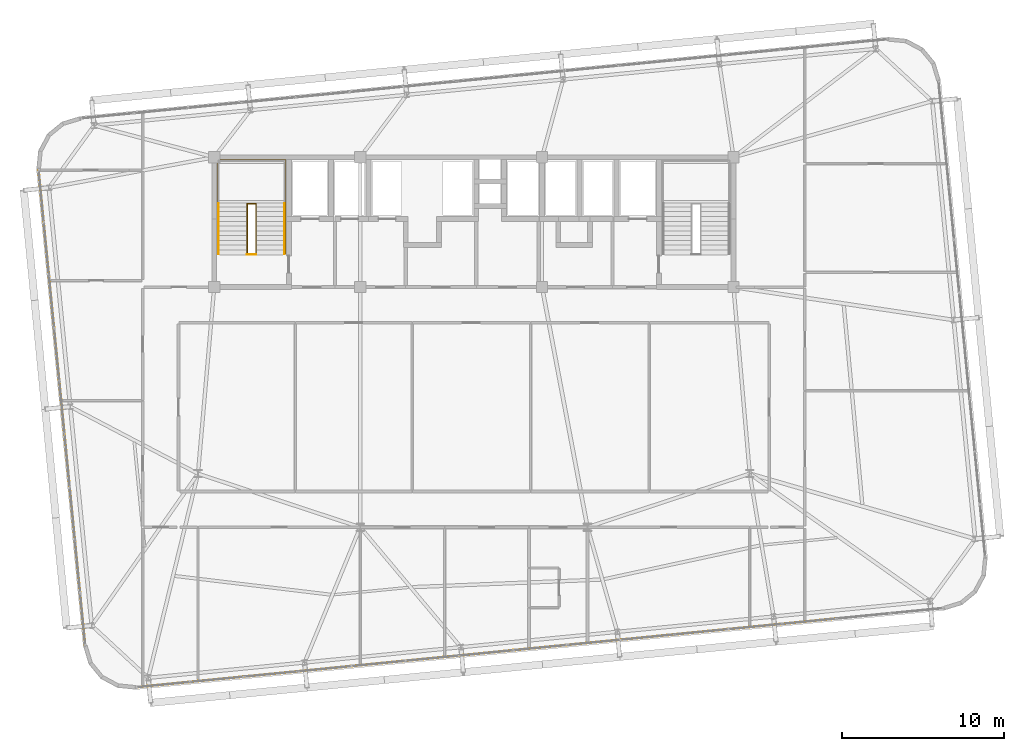
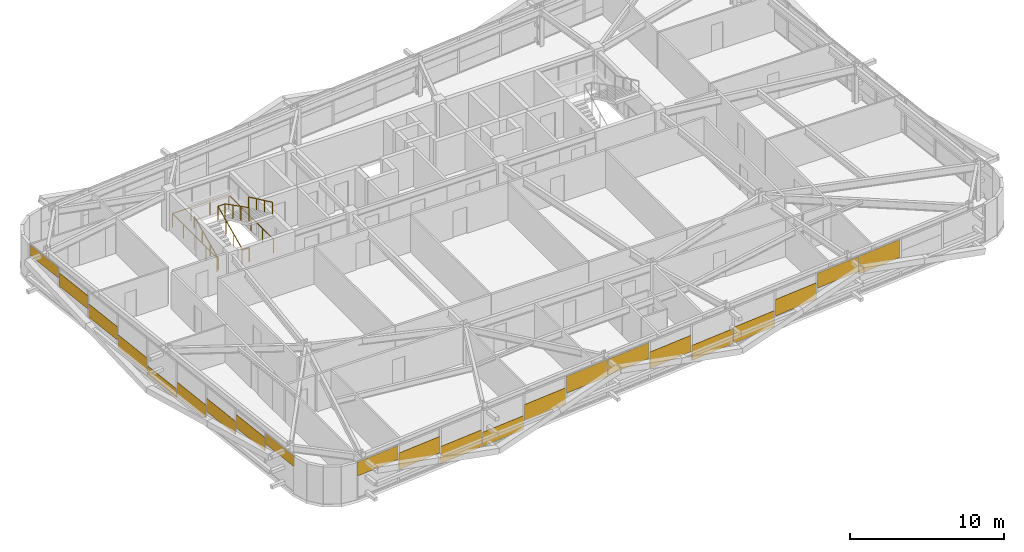
# One storey, part 50 of 52: 22 coverings, 5 railings.
"""IFC4 building model written with IfcOpenShell, lengths in metres."""

from ifc_helpers import new_model, si_unit, direction, frame, origin, origin_2d, place, context, subcontext, project, spatial, rectangle, extrude, source, transform, mapped, material, layer, layer_set, type_object, element, save


model = new_model("IFC4")

# Units and contexts
model_context = context("Model", 3, precision=1e-05, world=origin(), true_north=direction((0.0, 1.0)))
body_context = subcontext(model_context, "Body", "Model", "MODEL_VIEW")
ifc_project = project(units=[si_unit("LENGTHUNIT", "METRE"), si_unit("AREAUNIT", "SQUARE_METRE"), si_unit("VOLUMEUNIT", "CUBIC_METRE"), si_unit("PLANEANGLEUNIT", "RADIAN"), si_unit("MASSUNIT", "GRAM", prefix="KILO")], contexts=[model_context])

# Site, building, storey
site_placement = place(None, origin())
site = spatial("IfcSite", under=ifc_project, at=site_placement, CompositionType="ELEMENT")
building_placement = place(site_placement, origin())
building = spatial("IfcBuilding", under=site, at=building_placement, Name="Taldren Reach Tower", CompositionType="ELEMENT")
storey_placement = place(building_placement, frame((0.0, 0.0, 96.60009765625)))
storey = spatial("IfcBuildingStorey", under=building, at=storey_placement, Name="L29", CompositionType="ELEMENT", Elevation=96.60009765625)

# Railings
ifc_material_1 = material(Name="Steel Gr 350 (C350L0)", Category="steel")
ifc_layer_1 = layer(ifc_material_1, 0.050048828125)
ifc_layer_set_1 = layer_set([ifc_layer_1], Name="Steel Gr 350 (C350L0)")
railing_type_1 = type_object("IfcRailingType", Name="RL-STAIR-GR", PredefinedType="GUARDRAIL", material=ifc_layer_set_1)
railing_1_placement = place(storey_placement, frame((21.030029296875, 26.050048828125, 0.131103515625)))
element("IfcRailing", 1, at=railing_1_placement, inside=storey, type_object=railing_type_1, Name="Stairwell inner guard ST1-L29", PredefinedType="GUARDRAIL", context=body_context, shape_type="SweptSolid", body=[
    extrude(rectangle(XDim=0.047852, YDim=0.047852, at=origin_2d()), frame((0.0, 0.0, 1.09619140625), z_axis=(0.0, 0.905710134349, 0.423897573167), x_axis=(-1.0, 0.0, 0.0)), (0.0, 0.0, 1.0), 3.406005859375),
    extrude(rectangle(XDim=0.047852, YDim=0.047852, at=origin_2d()), frame((0.0, 3.0849609375, 2.5400390625), z_axis=(1.0, 0.0, 0.0), x_axis=(0.0, 1.0, 0.0)), (0.0, 0.0, 1.0), 0.5400390625),
    extrude(rectangle(XDim=0.047852, YDim=0.047852, at=origin_2d()), frame((0.5400390625, 3.0849609375, 2.5400390625), z_axis=(0.0, -0.890645957773, 0.45469745755), x_axis=(1.0, 0.0, 0.0)), (0.0, 0.0, 1.0), 3.463623046875),
    extrude(rectangle(XDim=0.041992, YDim=0.041992, at=origin_2d()), origin(), (0.0, 0.0, 1.0), 1.072021484375),
    extrude(rectangle(XDim=0.041992, YDim=0.041992, at=origin_2d()), frame((0.0, 1.0283203125, 0.481201171875)), (0.0, 0.0, 1.0), 1.072021484375),
    extrude(rectangle(XDim=0.041992, YDim=0.041992, at=origin_2d()), frame((0.0, 2.056640625, 0.962646484375)), (0.0, 0.0, 1.0), 1.072021484375),
    extrude(rectangle(XDim=0.041992, YDim=0.041992, at=origin_2d()), frame((0.0, 3.0849609375, 1.44384765625)), (0.0, 0.0, 1.0), 1.072021484375),
    extrude(rectangle(XDim=0.041992, YDim=0.041992, at=origin_2d()), frame((0.5400390625, 3.0849609375, 1.44384765625)), (0.0, 0.0, 1.0), 1.072021484375),
    extrude(rectangle(XDim=0.041992, YDim=0.041992, at=origin_2d()), frame((0.5400390625, 2.056640625, 1.96875)), (0.0, 0.0, 1.0), 1.072021484375),
    extrude(rectangle(XDim=0.041992, YDim=0.041992, at=origin_2d()), frame((0.5400390625, 1.0283203125, 2.493896484375)), (0.0, 0.0, 1.0), 1.072021484375),
    extrude(rectangle(XDim=0.041992, YDim=0.041992, at=origin_2d()), frame((0.5400390625, 0.0, 3.018798828125)), (0.0, 0.0, 1.0), 1.072021484375),
])
railing_2_placement = place(storey_placement, frame((21.030029296875, 26.010009765625, 0.0)))
element("IfcRailing", 2, at=railing_2_placement, inside=storey, type_object=railing_type_1, Name="Stairwell landing slot guard ST1-L29", PredefinedType="GUARDRAIL", context=body_context, shape_type="SweptSolid", body=[
    extrude(rectangle(XDim=0.047852, YDim=0.047852, at=origin_2d()), frame((0.0, 0.0, 1.09619140625), z_axis=(1.0, 0.0, 0.0), x_axis=(0.0, 1.0, 0.0)), (0.0, 0.0, 1.0), 0.5400390625),
    extrude(rectangle(XDim=0.041992, YDim=0.041992, at=origin_2d()), origin(), (0.0, 0.0, 1.0), 1.072021484375),
    extrude(rectangle(XDim=0.041992, YDim=0.041992, at=origin_2d()), frame((0.5400390625, 0.0, 0.0)), (0.0, 0.0, 1.0), 1.072021484375),
])
railing_3_placement = place(storey_placement, frame((19.18994140625, 26.050048828125, 0.0)))
element("IfcRailing", 3, at=railing_3_placement, inside=storey, type_object=railing_type_1, Name="Stairwell floor opening guard ST1-L29", PredefinedType="GUARDRAIL", context=body_context, shape_type="SweptSolid", body=[
    extrude(rectangle(XDim=0.047852, YDim=0.047852, at=origin_2d()), frame((0.0, 0.0, 1.09619140625), z_axis=(0.0, 1.0, 0.0), x_axis=(-1.0, 0.0, 0.0)), (0.0, 0.0, 1.0), 5.800048828125),
    extrude(rectangle(XDim=0.047852, YDim=0.047852, at=origin_2d()), frame((0.0, 5.800048828125, 1.09619140625), z_axis=(1.0, 0.0, 0.0), x_axis=(0.0, 1.0, 0.0)), (0.0, 0.0, 1.0), 4.219970703125),
    extrude(rectangle(XDim=0.047852, YDim=0.047852, at=origin_2d()), frame((4.219970703125, 5.800048828125, 1.09619140625), z_axis=(0.0, -1.0, 0.0), x_axis=(1.0, 0.0, 0.0)), (0.0, 0.0, 1.0), 5.800048828125),
    extrude(rectangle(XDim=0.041992, YDim=0.041992, at=origin_2d()), origin(), (0.0, 0.0, 1.0), 1.072021484375),
    extrude(rectangle(XDim=0.041992, YDim=0.041992, at=origin_2d()), frame((0.0, 1.449951171875, 0.0)), (0.0, 0.0, 1.0), 1.072021484375),
    extrude(rectangle(XDim=0.041992, YDim=0.041992, at=origin_2d()), frame((0.0, 2.89990234375, 0.0)), (0.0, 0.0, 1.0), 1.072021484375),
    extrude(rectangle(XDim=0.041992, YDim=0.041992, at=origin_2d()), frame((0.0, 4.35009765625, 0.0)), (0.0, 0.0, 1.0), 1.072021484375),
    extrude(rectangle(XDim=0.041992, YDim=0.041992, at=origin_2d()), frame((0.0, 5.800048828125, 0.0)), (0.0, 0.0, 1.0), 1.072021484375),
    extrude(rectangle(XDim=0.041992, YDim=0.041992, at=origin_2d()), frame((1.40673828125, 5.800048828125, 0.0)), (0.0, 0.0, 1.0), 1.072021484375),
    extrude(rectangle(XDim=0.041992, YDim=0.041992, at=origin_2d()), frame((2.813232421875, 5.800048828125, 0.0)), (0.0, 0.0, 1.0), 1.072021484375),
    extrude(rectangle(XDim=0.041992, YDim=0.041992, at=origin_2d()), frame((4.219970703125, 5.800048828125, 0.0)), (0.0, 0.0, 1.0), 1.072021484375),
    extrude(rectangle(XDim=0.041992, YDim=0.041992, at=origin_2d()), frame((4.219970703125, 4.35009765625, 0.0)), (0.0, 0.0, 1.0), 1.072021484375),
    extrude(rectangle(XDim=0.041992, YDim=0.041992, at=origin_2d()), frame((4.219970703125, 2.89990234375, 0.0)), (0.0, 0.0, 1.0), 1.072021484375),
    extrude(rectangle(XDim=0.041992, YDim=0.041992, at=origin_2d()), frame((4.219970703125, 1.449951171875, 0.0)), (0.0, 0.0, 1.0), 1.072021484375),
    extrude(rectangle(XDim=0.041992, YDim=0.041992, at=origin_2d()), frame((4.219970703125, 0.0, 0.0)), (0.0, 0.0, 1.0), 1.072021484375),
])
ifc_material_2 = material(Name="Stainless Steel Gr 316", Category="steel")
ifc_layer_2 = layer(ifc_material_2, 0.048095703125)
ifc_layer_set_2 = layer_set([ifc_layer_2], Name="Stainless Steel Gr 316")
railing_type_2 = type_object("IfcRailingType", Name="RL-STAIR-HR", PredefinedType="HANDRAIL", material=ifc_layer_set_2)
railing_4_placement = place(storey_placement, frame((19.27001953125, 26.050048828125, 0.131103515625)))
element("IfcRailing", 4, at=railing_4_placement, inside=storey, type_object=railing_type_2, Name="Stair flight handrail ST1-L29-1", PredefinedType="HANDRAIL", context=body_context, shape_type="SweptSolid", body=[
    extrude(rectangle(XDim=0.047852, YDim=0.047852, at=origin_2d()), frame((0.0, 0.0, 0.89599609375), z_axis=(0.0, 0.905710134349, 0.423897573167), x_axis=(-1.0, 0.0, 0.0)), (0.0, 0.0, 1.0), 3.406005859375),
    extrude(rectangle(XDim=0.041992, YDim=0.041992, at=origin_2d()), origin(), (0.0, 0.0, 1.0), 0.871826171875),
    extrude(rectangle(XDim=0.041992, YDim=0.041992, at=origin_2d()), frame((0.0, 1.0283203125, 0.481201171875)), (0.0, 0.0, 1.0), 0.871826171875),
    extrude(rectangle(XDim=0.041992, YDim=0.041992, at=origin_2d()), frame((0.0, 2.056640625, 0.962646484375)), (0.0, 0.0, 1.0), 0.871826171875),
    extrude(rectangle(XDim=0.041992, YDim=0.041992, at=origin_2d()), frame((0.0, 3.0849609375, 1.44384765625)), (0.0, 0.0, 1.0), 0.871826171875),
])
railing_5_placement = place(storey_placement, frame((23.330078125, 29.135009765625, 1.7060546875)))
element("IfcRailing", 5, at=railing_5_placement, inside=storey, type_object=railing_type_2, Name="Stair flight handrail ST1-L29-2", PredefinedType="HANDRAIL", context=body_context, shape_type="SweptSolid", body=[
    extrude(rectangle(XDim=0.047852, YDim=0.047852, at=origin_2d()), frame((0.0, 0.0, 0.89599609375), z_axis=(0.0, -0.905710134349, 0.423897573167), x_axis=(1.0, 0.0, 0.0)), (0.0, 0.0, 1.0), 3.406005859375),
    extrude(rectangle(XDim=0.041992, YDim=0.041992, at=origin_2d()), origin(), (0.0, 0.0, 1.0), 0.871826171875),
    extrude(rectangle(XDim=0.041992, YDim=0.041992, at=origin_2d()), frame((0.0, -1.0283203125, 0.481201171875)), (0.0, 0.0, 1.0), 0.871826171875),
    extrude(rectangle(XDim=0.041992, YDim=0.041992, at=origin_2d()), frame((0.0, -2.056640625, 0.962646484375)), (0.0, 0.0, 1.0), 0.871826171875),
    extrude(rectangle(XDim=0.041992, YDim=0.041992, at=origin_2d()), frame((0.0, -3.0849609375, 1.44384765625)), (0.0, 0.0, 1.0), 0.871826171875),
])

# Coverings
ifc_material_3 = material(Name="Pale Champagne Fluoropolymer Aluminium Spandrel Cladding", Category="aluminium")
ifc_layer_3 = layer(ifc_material_3, 0.0439453125)
ifc_layer_set_3 = layer_set([ifc_layer_3], Name="Pale Champagne Fluoropolymer Aluminium Spandrel Cladding")
covering_type = type_object("IfcCoveringType", Name="CV-CLAD-044", PredefinedType="CLADDING", material=ifc_layer_set_3)
shared_shape_1 = source(origin(), body_context, "Body", "SweptSolid", [
    extrude(rectangle(XDim=3.23583984375, YDim=0.0439453125, at=origin_2d()), origin(), (0.0, 0.0, 1.0), 1.094970703125),
])
covering_1_placement = place(storey_placement, frame((15.862548828125, -0.501220703125, 1.77978515625), z_axis=(0.0, 0.0, 1.0), x_axis=(0.995227390247, 0.097582999046, 0.0)))
element("IfcCovering", 6, at=covering_1_placement, inside=storey, type_object=covering_type, Name="Diagrid closure cladding strip CW-3 panel 1.1 1", PredefinedType="CLADDING", context=body_context, shape_type="MappedRepresentation", body=[
    mapped(shared_shape_1, transform((0.0, 0.0, 0.0), scale=1.0)),
])
shared_shape_2 = source(origin(), body_context, "Body", "SweptSolid", [
    extrude(rectangle(XDim=3.268310546875, YDim=0.0439453125, at=origin_2d()), origin(), (0.0, 0.0, 1.0), 1.3046875),
])
for number, where, z_axis, x_axis, name in (
    (7, (19.163818359375, -0.177734375, 0.943115234375), (0.0, 0.0, 1.0), (0.995227390247, 0.097582999046, 0.0), "Diagrid closure cladding strip CW-3 panel 2.1 1"),
    (8, (29.1162109375, 0.798095703125, 0.7021484375), (0.0, 0.0, 1.0), (0.995227390247, 0.097582999046, 0.0), "Diagrid closure cladding strip CW-3 panel 5.1 1"),
    (9, (39.068359375, 1.77392578125, 0.782470703125), (0.0, 0.0, 1.0), (0.995227390247, 0.097582999046, 0.0), "Diagrid closure cladding strip CW-3 panel 8.1 1"),
    (10, (49.020751953125, 2.749755859375, 0.86279296875), (0.0, 0.0, 1.0), (0.995227390247, 0.097582999046, 0.0), "Diagrid closure cladding strip CW-3 panel 11.1 1"),
):
    element("IfcCovering", number, at=place(storey_placement, frame(where, z_axis=z_axis, x_axis=x_axis)), inside=storey, type_object=covering_type, Name=name, PredefinedType="CLADDING", context=body_context, shape_type="MappedRepresentation", body=[
        mapped(shared_shape_2, transform((0.0, 0.0, 0.0), scale=1.0)),
    ])
shared_shape_3 = source(origin(), body_context, "Body", "SweptSolid", [
    extrude(rectangle(XDim=3.268310546875, YDim=0.0439453125, at=origin_2d()), origin(), (0.0, 0.0, 1.0), 1.356201171875),
])
covering_2_placement = place(storey_placement, frame((22.481201171875, 0.147705078125, 0.0546875), z_axis=(0.0, 0.0, 1.0), x_axis=(0.995227390247, 0.097582999046, 0.0)))
element("IfcCovering", 11, at=covering_2_placement, inside=storey, type_object=covering_type, Name="Diagrid closure cladding strip CW-3 panel 3.1 1", PredefinedType="CLADDING", context=body_context, shape_type="MappedRepresentation", body=[
    mapped(shared_shape_3, transform((0.0, 0.0, 0.0), scale=1.0)),
])
shared_shape_4 = source(origin(), body_context, "Body", "SweptSolid", [
    extrude(rectangle(XDim=3.268310546875, YDim=0.0439453125, at=origin_2d()), origin(), (0.0, 0.0, 1.0), 1.115234375),
])
covering_3_placement = place(storey_placement, frame((25.798828125, 0.472900390625, 0.054931640625), z_axis=(0.0, 0.0, 1.0), x_axis=(0.995227390247, 0.097582999046, 0.0)))
element("IfcCovering", 12, at=covering_3_placement, inside=storey, type_object=covering_type, Name="Diagrid closure cladding strip CW-3 panel 4.1 1", PredefinedType="CLADDING", context=body_context, shape_type="MappedRepresentation", body=[
    mapped(shared_shape_4, transform((0.0, 0.0, 0.0), scale=1.0)),
])
shared_shape_5 = source(origin(), body_context, "Body", "SweptSolid", [
    extrude(rectangle(XDim=3.268310546875, YDim=0.0439453125, at=origin_2d()), origin(), (0.0, 0.0, 1.0), 1.3359375),
])
covering_4_placement = place(storey_placement, frame((32.43359375, 1.12353515625, 1.5390625), z_axis=(0.0, 0.0, 1.0), x_axis=(0.995227390247, 0.097582999046, 0.0)))
element("IfcCovering", 13, at=covering_4_placement, inside=storey, type_object=covering_type, Name="Diagrid closure cladding strip CW-3 panel 6.1 1", PredefinedType="CLADDING", context=body_context, shape_type="MappedRepresentation", body=[
    mapped(shared_shape_5, transform((0.0, 0.0, 0.0), scale=1.0)),
])
shared_shape_6 = source(origin(), body_context, "Body", "SweptSolid", [
    extrude(rectangle(XDim=3.268310546875, YDim=0.0439453125, at=origin_2d()), origin(), (0.0, 0.0, 1.0), 1.255615234375),
])
covering_5_placement = place(storey_placement, frame((35.7509765625, 1.44873046875, 1.619140625), z_axis=(0.0, 0.0, 1.0), x_axis=(0.995227390247, 0.097582999046, 0.0)))
element("IfcCovering", 14, at=covering_5_placement, inside=storey, type_object=covering_type, Name="Diagrid closure cladding strip CW-3 panel 7.1 1", PredefinedType="CLADDING", context=body_context, shape_type="MappedRepresentation", body=[
    mapped(shared_shape_6, transform((0.0, 0.0, 0.0), scale=1.0)),
])
shared_shape_7 = source(origin(), body_context, "Body", "SweptSolid", [
    extrude(rectangle(XDim=3.268310546875, YDim=0.0439453125, at=origin_2d()), origin(), (0.0, 0.0, 1.0), 1.195556640625),
])
covering_6_placement = place(storey_placement, frame((42.3857421875, 2.099365234375, 0.0546875), z_axis=(0.0, 0.0, 1.0), x_axis=(0.995227390247, 0.097582999046, 0.0)))
element("IfcCovering", 15, at=covering_6_placement, inside=storey, type_object=covering_type, Name="Diagrid closure cladding strip CW-3 panel 9.1 1", PredefinedType="CLADDING", context=body_context, shape_type="MappedRepresentation", body=[
    mapped(shared_shape_7, transform((0.0, 0.0, 0.0), scale=1.0)),
])
shared_shape_8 = source(origin(), body_context, "Body", "SweptSolid", [
    extrude(rectangle(XDim=3.268310546875, YDim=0.0439453125, at=origin_2d()), origin(), (0.0, 0.0, 1.0), 1.27587890625),
])
covering_7_placement = place(storey_placement, frame((45.703369140625, 2.424560546875, 0.054931640625), z_axis=(0.0, 0.0, 1.0), x_axis=(0.995227390247, 0.097582999046, 0.0)))
element("IfcCovering", 16, at=covering_7_placement, inside=storey, type_object=covering_type, Name="Diagrid closure cladding strip CW-3 panel 10.1 1", PredefinedType="CLADDING", context=body_context, shape_type="MappedRepresentation", body=[
    mapped(shared_shape_8, transform((0.0, 0.0, 0.0), scale=1.0)),
])
shared_shape_9 = source(origin(), body_context, "Body", "SweptSolid", [
    extrude(rectangle(XDim=3.268310546875, YDim=0.0439453125, at=origin_2d()), origin(), (0.0, 0.0, 1.0), 1.17529296875),
])
covering_8_placement = place(storey_placement, frame((52.338134765625, 3.0751953125, 1.69970703125), z_axis=(0.0, 0.0, 1.0), x_axis=(0.995227390247, 0.097582999046, 0.0)))
element("IfcCovering", 17, at=covering_8_placement, inside=storey, type_object=covering_type, Name="Diagrid closure cladding strip CW-3 panel 12.1 1", PredefinedType="CLADDING", context=body_context, shape_type="MappedRepresentation", body=[
    mapped(shared_shape_9, transform((0.0, 0.0, 0.0), scale=1.0)),
])
shared_shape_10 = source(origin(), body_context, "Body", "SweptSolid", [
    extrude(rectangle(XDim=3.268310546875, YDim=0.0439453125, at=origin_2d()), origin(), (0.0, 0.0, 1.0), 1.416259765625),
])
covering_9_placement = place(storey_placement, frame((55.655517578125, 3.400390625, 1.45849609375), z_axis=(0.0, 0.0, 1.0), x_axis=(0.995227390247, 0.097582999046, 0.0)))
element("IfcCovering", 18, at=covering_9_placement, inside=storey, type_object=covering_type, Name="Diagrid closure cladding strip CW-3 panel 13.1 1", PredefinedType="CLADDING", context=body_context, shape_type="MappedRepresentation", body=[
    mapped(shared_shape_10, transform((0.0, 0.0, 0.0), scale=1.0)),
])
shared_shape_11 = source(origin(), body_context, "Body", "SweptSolid", [
    extrude(rectangle(XDim=3.18017578125, YDim=0.0439453125, at=origin_2d()), origin(), (0.0, 0.0, 1.0), 0.83056640625),
])
for number, where, z_axis, x_axis, name in (
    (19, (8.34521484375, 29.61376953125, 2.04443359375), (0.0, 0.0, 1.0), (0.09758274098, -0.99522741555, 0.0), "Diagrid closure cladding strip CW-3 panel 1.1 1"),
    (20, (10.90087890625, 3.549072265625, 2.04443359375), (0.0, 0.0, 1.0), (0.09758274098, -0.99522741555, 0.0), "Diagrid closure cladding strip CW-3 panel 9.1 1"),
):
    element("IfcCovering", number, at=place(storey_placement, frame(where, z_axis=z_axis, x_axis=x_axis)), inside=storey, type_object=covering_type, Name=name, PredefinedType="CLADDING", context=body_context, shape_type="MappedRepresentation", body=[
        mapped(shared_shape_11, transform((0.0, 0.0, 0.0), scale=1.0)),
    ])
shared_shape_12 = source(origin(), body_context, "Body", "SweptSolid", [
    extrude(rectangle(XDim=3.212890625, YDim=0.0439453125, at=origin_2d()), origin(), (0.0, 0.0, 1.0), 1.053466796875),
])
for number, where, z_axis, x_axis, name in (
    (21, (8.663330078125, 26.36767578125, 1.45654296875), (0.0, 0.0, 1.0), (0.09758274098, -0.99522741555, 0.0), "Diagrid closure cladding strip CW-3 panel 2.1 1"),
    (22, (8.983154296875, 23.105712890625, 0.86865234375), (0.0, 0.0, 1.0), (0.09758274098, -0.99522741555, 0.0), "Diagrid closure cladding strip CW-3 panel 3.1 1"),
    (23, (9.30322265625, 19.843505859375, 0.28076171875), (0.0, 0.0, 1.0), (0.09758274098, -0.99522741555, 0.0), "Diagrid closure cladding strip CW-3 panel 4.1 1"),
    (24, (9.94287109375, 13.319091796875, 0.28076171875), (0.0, 0.0, 1.0), (0.09758274098, -0.99522741555, 0.0), "Diagrid closure cladding strip CW-3 panel 6.1 1"),
    (25, (10.2626953125, 10.05712890625, 0.86865234375), (0.0, 0.0, 1.0), (0.09758274098, -0.99522741555, 0.0), "Diagrid closure cladding strip CW-3 panel 7.1 1"),
    (26, (10.58251953125, 6.794921875, 1.45654296875), (0.0, 0.0, 1.0), (0.09758274098, -0.99522741555, 0.0), "Diagrid closure cladding strip CW-3 panel 8.1 1"),
):
    element("IfcCovering", number, at=place(storey_placement, frame(where, z_axis=z_axis, x_axis=x_axis)), inside=storey, type_object=covering_type, Name=name, PredefinedType="CLADDING", context=body_context, shape_type="MappedRepresentation", body=[
        mapped(shared_shape_12, transform((0.0, 0.0, 0.0), scale=1.0)),
    ])
shared_shape_13 = source(origin(), body_context, "Body", "SweptSolid", [
    extrude(rectangle(XDim=3.212890625, YDim=0.0439453125, at=origin_2d()), origin(), (0.0, 0.0, 1.0), 0.691650390625),
])
covering_10_placement = place(storey_placement, frame((9.623046875, 16.581298828125, 0.05517578125), z_axis=(0.0, 0.0, 1.0), x_axis=(0.09758274098, -0.99522741555, 0.0)))
element("IfcCovering", 27, at=covering_10_placement, inside=storey, type_object=covering_type, Name="Diagrid closure cladding strip CW-3 panel 5.1 1", PredefinedType="CLADDING", context=body_context, shape_type="MappedRepresentation", body=[
    mapped(shared_shape_13, transform((0.0, 0.0, 0.0), scale=1.0)),
])

save(model, "model.ifc")
